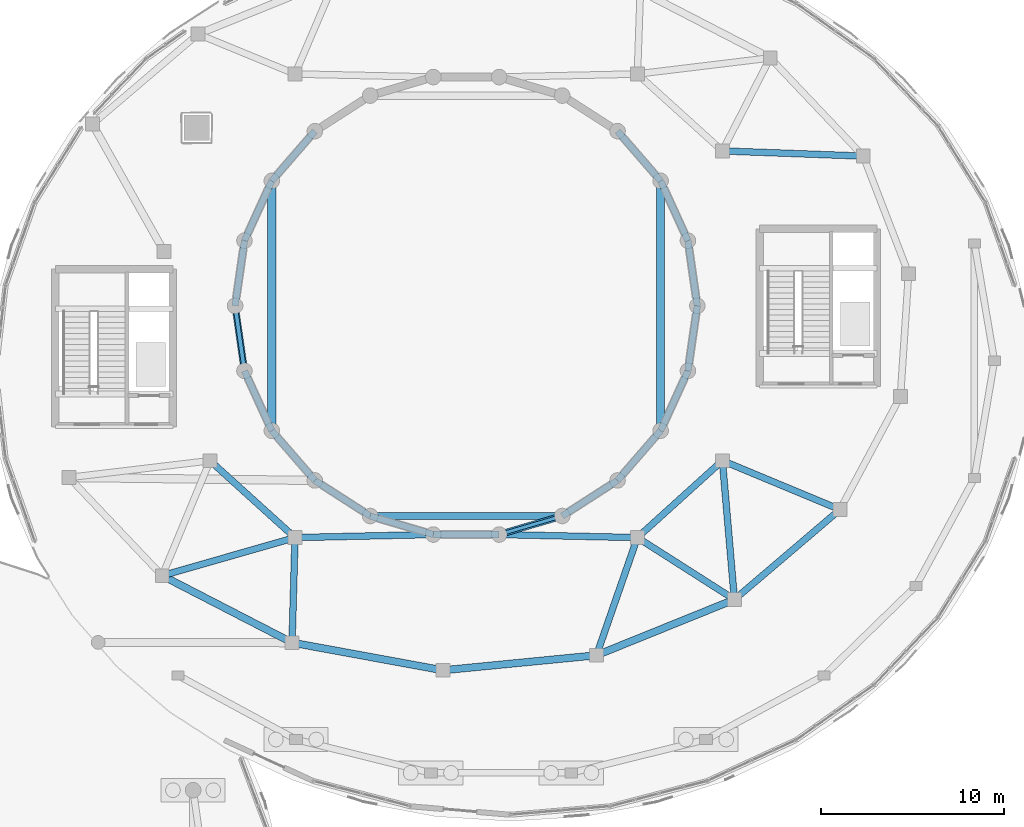
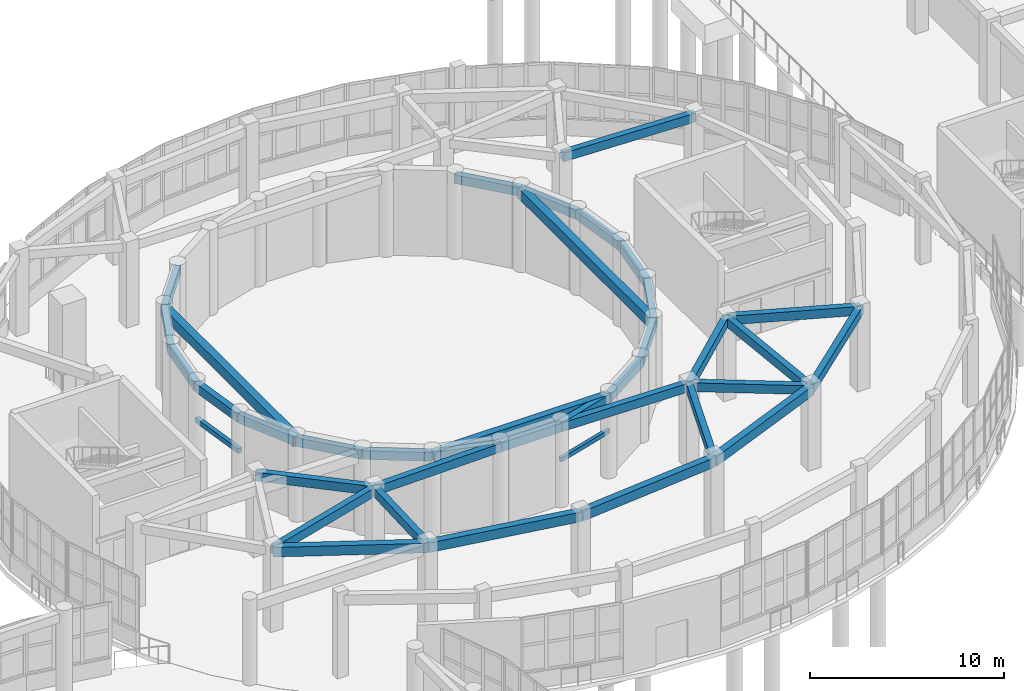
# One storey, part 43 of 96: 38 beams.
"""IFC4 building model written with IfcOpenShell, lengths in metres."""

import ifcopenshell
import ifcopenshell.guid

model = None  # the IFC model being written
_history = None  # IfcOwnerHistory: only IFC2X3 demands one
_inside = {}  # id of a spatial element -> (the spatial element, [elements in it])
_under = {}  # id of a project, library or spatial element -> (it, [spatial elements below it])
_declared = {}  # id of a project -> (the project, [libraries it declares])
_typed = {}  # id of a type object -> (the type object, [elements of that type])
_made_of = {}  # id of a material, layer set ... -> (it, [elements and type objects made of it])


def new_model(schema):
    """Start an empty IFC model of exactly this schema.

    Asked for "IFC4X3", IfcOpenShell would pick the latest addendum, in which some entities
    have other attributes; the version numbers below select the first issue.
    IFC2X3 requires an IfcOwnerHistory on every rooted entity: one is made here for all.
    """
    global model, _history
    if schema == "IFC4X3":
        model = ifcopenshell.file(schema_version=(4, 3, 0, 0))
    else:
        model = ifcopenshell.file(schema=schema)
    _inside.clear()
    _under.clear()
    _declared.clear()
    _typed.clear()
    _made_of.clear()
    _history = None
    if model.schema == "IFC2X3":
        org = make("IfcOrganization", Name="unknown")
        user = make(
            "IfcPersonAndOrganization",
            ThePerson=make("IfcPerson", FamilyName="unknown"),
            TheOrganization=org,
        )
        app = make(
            "IfcApplication",
            ApplicationDeveloper=org,
            Version="unknown",
            ApplicationFullName="unknown",
            ApplicationIdentifier="unknown",
        )
        _history = make(
            "IfcOwnerHistory",
            OwningUser=user,
            OwningApplication=app,
            ChangeAction="ADDED",
            CreationDate=0,
        )
    return model


def make(cls, **values):
    """One entity of the class cls with the attributes given. An attribute that is None is left unset."""
    return model.create_entity(
        cls, **{name: value for name, value in values.items() if value is not None}
    )


def rooted(cls, **values):
    """An entity with a GlobalId (a new one), such as an element, a storey or a relation."""
    return make(cls, GlobalId=ifcopenshell.guid.new(), OwnerHistory=_history, **values)


def si_unit(unit_type, name, prefix=None):
    """IfcSIUnit, for example si_unit("LENGTHUNIT", "METRE", prefix="MILLI")."""
    return make("IfcSIUnit", UnitType=unit_type, Prefix=prefix, Name=name)


def assignment(units):
    """IfcUnitAssignment: the units of a project."""
    return None if units is None else make("IfcUnitAssignment", Units=units)


def point(xyz):
    """IfcCartesianPoint."""
    return None if xyz is None else make("IfcCartesianPoint", Coordinates=xyz)


def direction(xyz):
    """IfcDirection."""
    return None if xyz is None else make("IfcDirection", DirectionRatios=xyz)


def frame(location, z_axis=None, x_axis=None):
    """IfcAxis2Placement3D, a coordinate frame: its origin and axes. An axis left out is left unset."""
    return make(
        "IfcAxis2Placement3D",
        Location=point(location),
        Axis=direction(z_axis),
        RefDirection=direction(x_axis),
    )


def frame_2d(location, x_axis=None):
    """IfcAxis2Placement2D, a coordinate frame in the plane: its origin and x axis."""
    return make(
        "IfcAxis2Placement2D", Location=point(location), RefDirection=direction(x_axis)
    )


def origin():
    """The frame at (0, 0, 0) with its axes left unset."""
    return frame((0.0, 0.0, 0.0))


def origin_2d():
    """The frame at (0, 0) in the plane with its x axis left unset."""
    return frame_2d((0.0, 0.0))


def place(relative_to, where):
    """IfcLocalPlacement: puts the frame where relative to a parent placement (None: the world)."""
    return make(
        "IfcLocalPlacement", PlacementRelTo=relative_to, RelativePlacement=where
    )


def context(
    kind, dimensions, precision=None, world=None, true_north=None, identifier=None
):
    """IfcGeometricRepresentationContext, for example the 3D "Model" context."""
    return make(
        "IfcGeometricRepresentationContext",
        ContextIdentifier=identifier,
        ContextType=kind,
        CoordinateSpaceDimension=dimensions,
        Precision=precision,
        WorldCoordinateSystem=world,
        TrueNorth=true_north,
    )


def subcontext(parent, identifier, kind, view, scale=None):
    """IfcGeometricRepresentationSubContext, for example "Body" below "Model"."""
    return make(
        "IfcGeometricRepresentationSubContext",
        ContextIdentifier=identifier,
        ContextType=kind,
        ParentContext=parent,
        TargetScale=scale,
        TargetView=view,
    )


def project(units=None, contexts=None):
    """IfcProject with its units and contexts."""
    return rooted(
        "IfcProject",
        Name="project",
        RepresentationContexts=contexts,
        UnitsInContext=assignment(units),
    )


def spatial(cls, under=None, at=None, **own):
    """A site, building, storey or space (cls), placed at a placement, below another one or the project."""
    s = rooted(cls, ObjectPlacement=at, **own)
    if under is not None:
        _under.setdefault(under.id(), (under, []))[1].append(s)
    return s


def profile(cls, at=None, kind="AREA", **sizes):
    """A parametric profile (cls). Its sizes go by their IFC names, for example OverallWidth=200.0."""
    return make(cls, ProfileType=kind, Position=at, **sizes)


def rectangle(**sizes):
    """IfcRectangleProfileDef."""
    return profile("IfcRectangleProfileDef", **sizes)


def extrude(swept, where, along, depth):
    """IfcExtrudedAreaSolid: the profile swept, set in the frame where, extruded along a direction by depth."""
    return make(
        "IfcExtrudedAreaSolid",
        SweptArea=swept,
        Position=where,
        ExtrudedDirection=direction(along),
        Depth=depth,
    )


def shape(context_of_items, identifier, shape_type, items):
    """IfcShapeRepresentation: the items that make up one representation, for example the "Body"."""
    return make(
        "IfcShapeRepresentation",
        ContextOfItems=context_of_items,
        RepresentationIdentifier=identifier,
        RepresentationType=shape_type,
        Items=items,
    )


def material(Name=None, Category=None):
    """IfcMaterial."""
    return make("IfcMaterial", Name=Name, Category=Category)


def material_profile(
    of_material, cross_section, Name=None, Category=None, Priority=None
):
    """IfcMaterialProfile: a cross section and its material."""
    return make(
        "IfcMaterialProfile",
        Name=Name,
        Material=of_material,
        Profile=cross_section,
        Priority=Priority,
        Category=Category,
    )


def profile_set(profiles, Name=None, composite=None):
    """IfcMaterialProfileSet."""
    return make(
        "IfcMaterialProfileSet",
        Name=Name,
        MaterialProfiles=profiles,
        CompositeProfile=composite,
    )


def made_of(thing, what):
    """Note that an element or type object is made of a material, layer set ...; save() writes the relation."""
    if what is not None:
        _made_of.setdefault(what.id(), (what, []))[1].append(thing)
    return thing


def type_object(cls, material=None, **own):
    """A type object (cls), such as IfcWallType, which elements share."""
    return made_of(rooted(cls, **own), material)


def element(
    cls,
    number,
    at=None,
    inside=None,
    cuts=None,
    type_object=None,
    material=None,
    context=None,
    identifier="Body",
    shape_type=None,
    held_by="IfcProductDefinitionShape",
    body=None,
    shapes=None,
    **own,
):
    """One element of the class cls, such as IfcWall. Its Tag is "e" and its number.

    at: its placement. inside: the storey or other place that contains it. cuts: it is an
    opening in that element (IfcRelVoidsElement). A single representation is given by context,
    identifier, shape_type and body (its items); several are given by shapes. held_by: the class
    of the entity that holds the representations. save() writes the other relations.
    """
    e = rooted(cls, Tag="e%d" % number, ObjectPlacement=at, **own)
    if body is not None:
        shapes = [shape(context, identifier, shape_type, body)]
    if shapes is not None:
        e.Representation = make(held_by, Representations=shapes)
    if inside is not None:
        _inside.setdefault(inside.id(), (inside, []))[1].append(e)
    if cuts is not None:
        rooted(
            "IfcRelVoidsElement", RelatingBuildingElement=cuts, RelatedOpeningElement=e
        )
    if type_object is not None:
        _typed.setdefault(type_object.id(), (type_object, []))[1].append(e)
    return made_of(e, material)


def aggregate(whole, parts):
    """IfcRelAggregates: a whole, such as a stair, and the parts it consists of."""
    return rooted("IfcRelAggregates", RelatingObject=whole, RelatedObjects=parts)


def save(model, path):
    """Write the relations noted so far, then the file.

    IfcRelAggregates (storeys below a building ...), IfcRelContainedInSpatialStructure (elements
    in a storey), IfcRelDefinesByType, IfcRelAssociatesMaterial and IfcRelDeclares: one each for
    every whole, place, type object, material and project.
    """
    for whole, parts in _under.values():
        aggregate(whole, parts)
    for where, things in _inside.values():
        rooted(
            "IfcRelContainedInSpatialStructure",
            RelatedElements=things,
            RelatingStructure=where,
        )
    for kind, things in _typed.values():
        rooted("IfcRelDefinesByType", RelatedObjects=things, RelatingType=kind)
    for what, things in _made_of.values():
        rooted("IfcRelAssociatesMaterial", RelatedObjects=things, RelatingMaterial=what)
    for by, libraries in _declared.values():
        rooted("IfcRelDeclares", RelatingContext=by, RelatedDefinitions=libraries)
    model.write(path)


model = new_model("IFC4")

# Units and contexts
model_context = context("Model", 3, precision=1e-05, world=origin(), true_north=direction((0.0, 1.0)))
body_context = subcontext(model_context, "Body", "Model", "MODEL_VIEW")
ifc_project = project(units=[si_unit("LENGTHUNIT", "METRE"), si_unit("AREAUNIT", "SQUARE_METRE"), si_unit("VOLUMEUNIT", "CUBIC_METRE"), si_unit("PLANEANGLEUNIT", "RADIAN"), si_unit("MASSUNIT", "GRAM", prefix="KILO")], contexts=[model_context])

# Site, building, storey
site_placement = place(None, origin())
site = spatial("IfcSite", under=ifc_project, at=site_placement, CompositionType="ELEMENT")
building_placement = place(site_placement, origin())
building = spatial("IfcBuilding", under=site, at=building_placement, Name="Pelvatis Terrace Science Centre", CompositionType="ELEMENT")
storey_placement = place(building_placement, origin())
storey = spatial("IfcBuildingStorey", under=building, at=storey_placement, Name="L00", CompositionType="ELEMENT", Elevation=0.0)

# Beams
ifc_material_1 = material(Name="Concrete C35/45", Category="concrete")
ifc_material_profile_1 = material_profile(ifc_material_1, rectangle(XDim=0.360107421875, YDim=0.550048828125, at=origin_2d()), Name="RC-BM 360x550")
ifc_profile_set_1 = profile_set([ifc_material_profile_1], Name="Concrete C35/45")
beam_type_1 = type_object("IfcBeamType", Name="BM-RC-360x550", PredefinedType="BEAM", material=ifc_profile_set_1)
for number, where, z_axis, x_axis, name in (
    (1, (121.800048828125, 85.800048828125, 4.864990234375), (-0.142345759139, 0.989816995639, 0.0), (-0.989816995639, -0.142345759139, 0.0), "Beam BM-L00-2171"),
    (2, (121.800048828125, 85.800048828125, 4.864990234375), (-0.142345759139, -0.989816995639, 0.0), (0.989816995639, -0.142345759139, 0.0), "Beam BM-L00-2172"),
):
    element("IfcBeam", number, at=place(storey_placement, frame(where, z_axis=z_axis, x_axis=x_axis)), inside=storey, type_object=beam_type_1, Name=name, PredefinedType="BEAM", context=body_context, shape_type="SweptSolid", body=[
        extrude(rectangle(XDim=0.360107421875, YDim=0.550048828125, at=origin_2d()), origin(), (0.0, 0.0, 1.0), 3.58642578125),
    ])
beam_1_placement = place(storey_placement, frame((121.28955078125, 89.349853515625, 4.864990234375), z_axis=(-0.41540256811, 0.909637678643, 0.0), x_axis=(-0.909637678643, -0.41540256811, 0.0)))
element("IfcBeam", 3, at=beam_1_placement, inside=storey, type_object=beam_type_1, Name="Beam BM-L00-2173", PredefinedType="BEAM", context=body_context, shape_type="SweptSolid", body=[
    extrude(rectangle(XDim=0.360107421875, YDim=0.550048828125, at=origin_2d()), origin(), (0.0, 0.0, 1.0), 3.586181640625),
])
for number, where, z_axis, x_axis, name in (
    (4, (119.7998046875, 92.612060546875, 4.864990234375), (-0.654863153819, 0.755747477515, 0.0), (-0.755747477515, -0.654863153819, 0.0), "Beam BM-L00-2174"),
    (5, (100.94873046875, 95.322509765625, 4.864990234375), (-0.654863153819, -0.755747477515, 0.0), (0.755747477515, -0.654863153819, 0.0), "Beam BM-L00-2184"),
):
    element("IfcBeam", number, at=place(storey_placement, frame(where, z_axis=z_axis, x_axis=x_axis)), inside=storey, type_object=beam_type_1, Name=name, PredefinedType="BEAM", context=body_context, shape_type="SweptSolid", body=[
        extrude(rectangle(XDim=0.360107421875, YDim=0.550048828125, at=origin_2d()), origin(), (0.0, 0.0, 1.0), 3.58642578125),
    ])
for number, where, z_axis, x_axis, name in (
    (6, (98.60009765625, 92.612060546875, 4.864990234375), (-0.41540256811, -0.909637678643, 0.0), (0.909637678643, -0.41540256811, 0.0), "Beam BM-L00-2185"),
    (7, (97.1103515625, 89.349853515625, 4.864990234375), (-0.142279062089, -0.98982658506, 0.0), (0.98982658506, -0.142279062089, 0.0), "Beam BM-L00-2187"),
    (8, (96.60009765625, 85.800048828125, 4.864990234375), (0.142279062089, -0.98982658506, 0.0), (0.98982658506, 0.142279062089, 0.0), "Beam BM-L00-2188"),
):
    element("IfcBeam", number, at=place(storey_placement, frame(where, z_axis=z_axis, x_axis=x_axis)), inside=storey, type_object=beam_type_1, Name=name, PredefinedType="BEAM", context=body_context, shape_type="SweptSolid", body=[
        extrude(rectangle(XDim=0.360107421875, YDim=0.550048828125, at=origin_2d()), origin(), (0.0, 0.0, 1.0), 3.586181640625),
    ])
beam_2_placement = place(storey_placement, frame((97.1103515625, 82.250244140625, 4.864990234375), z_axis=(0.415376845768, -0.909649424778, 0.0), x_axis=(0.909649424778, 0.415376845768, 0.0)))
element("IfcBeam", 9, at=beam_2_placement, inside=storey, type_object=beam_type_1, Name="Beam BM-L00-2189", PredefinedType="BEAM", context=body_context, shape_type="SweptSolid", body=[
    extrude(rectangle(XDim=0.360107421875, YDim=0.550048828125, at=origin_2d()), origin(), (0.0, 0.0, 1.0), 3.58642578125),
])
beam_3_placement = place(storey_placement, frame((98.60009765625, 78.98779296875, 4.864990234375), z_axis=(0.654896845036, -0.755718282406, 0.0), x_axis=(0.755718282406, 0.654896845036, 0.0)))
element("IfcBeam", 10, at=beam_3_placement, inside=storey, type_object=beam_type_1, Name="Beam BM-L00-2190", PredefinedType="BEAM", context=body_context, shape_type="SweptSolid", body=[
    extrude(rectangle(XDim=0.360107421875, YDim=0.550048828125, at=origin_2d()), origin(), (0.0, 0.0, 1.0), 3.586181640625),
])
beam_4_placement = place(storey_placement, frame((100.94873046875, 76.277587890625, 4.864990234375), z_axis=(0.841253667692, -0.540640607607, 0.0), x_axis=(0.540640607607, 0.841253667692, 0.0)))
element("IfcBeam", 11, at=beam_4_placement, inside=storey, type_object=beam_type_1, Name="Beam BM-L00-2191", PredefinedType="BEAM", context=body_context, shape_type="SweptSolid", body=[
    extrude(rectangle(XDim=0.360107421875, YDim=0.550048828125, at=origin_2d()), origin(), (0.0, 0.0, 1.0), 3.58642578125),
])
beam_5_placement = place(storey_placement, frame((103.9658203125, 74.338623046875, 4.864990234375), z_axis=(0.959481412085, -0.281771928808, 0.0), x_axis=(0.281771928808, 0.959481412085, 0.0)))
element("IfcBeam", 12, at=beam_5_placement, inside=storey, type_object=beam_type_1, Name="Beam BM-L00-2193", PredefinedType="BEAM", context=body_context, shape_type="SweptSolid", body=[
    extrude(rectangle(XDim=0.360107421875, YDim=0.550048828125, at=origin_2d()), origin(), (0.0, 0.0, 1.0), 3.586181640625),
])
beam_6_placement = place(storey_placement, frame((107.40673828125, 73.328125, 4.864990234375), z_axis=(1.0, 0.0, 0.0), x_axis=(0.0, 1.0, 0.0)))
element("IfcBeam", 13, at=beam_6_placement, inside=storey, type_object=beam_type_1, Name="Beam BM-L00-2195", PredefinedType="BEAM", context=body_context, shape_type="SweptSolid", body=[
    extrude(rectangle(XDim=0.360107421875, YDim=0.550048828125, at=origin_2d()), origin(), (0.0, 0.0, 1.0), 3.58642578125),
])
beam_7_placement = place(storey_placement, frame((107.40673828125, 73.328125, 4.864990234375), z_axis=(-0.999756283601, -0.022076535063, 0.0), x_axis=(0.022076535063, -0.999756283601, 0.0)))
element("IfcBeam", 14, at=beam_7_placement, inside=storey, type_object=beam_type_1, Name="Beam BM-L00-2196", PredefinedType="BEAM", context=body_context, shape_type="SweptSolid", body=[
    extrude(rectangle(XDim=0.360107421875, YDim=0.550048828125, at=origin_2d()), origin(), (0.0, 0.0, 1.0), 7.542236328125),
])
beam_8_placement = place(storey_placement, frame((110.9931640625, 73.328125, 4.864990234375), z_axis=(0.959481412085, 0.281771928808, 0.0), x_axis=(-0.281771928808, 0.959481412085, 0.0)))
element("IfcBeam", 15, at=beam_8_placement, inside=storey, type_object=beam_type_1, Name="Beam BM-L00-2197", PredefinedType="BEAM", context=body_context, shape_type="SweptSolid", body=[
    extrude(rectangle(XDim=0.360107421875, YDim=0.550048828125, at=origin_2d()), origin(), (0.0, 0.0, 1.0), 3.586181640625),
])
beam_9_placement = place(storey_placement, frame((110.9931640625, 73.328125, 4.864990234375), z_axis=(0.999756299377, -0.022075820636, 0.0), x_axis=(0.022075820636, 0.999756299377, 0.0)))
element("IfcBeam", 16, at=beam_9_placement, inside=storey, type_object=beam_type_1, Name="Beam BM-L00-2198", PredefinedType="BEAM", context=body_context, shape_type="SweptSolid", body=[
    extrude(rectangle(XDim=0.360107421875, YDim=0.550048828125, at=origin_2d()), origin(), (0.0, 0.0, 1.0), 7.54248046875),
])
beam_10_placement = place(storey_placement, frame((114.43408203125, 74.338623046875, 4.864990234375), z_axis=(0.841253667692, 0.540640607607, 0.0), x_axis=(-0.540640607607, 0.841253667692, 0.0)))
element("IfcBeam", 17, at=beam_10_placement, inside=storey, type_object=beam_type_1, Name="Beam BM-L00-2199", PredefinedType="BEAM", context=body_context, shape_type="SweptSolid", body=[
    extrude(rectangle(XDim=0.360107421875, YDim=0.550048828125, at=origin_2d()), origin(), (0.0, 0.0, 1.0), 3.58642578125),
])
beam_11_placement = place(storey_placement, frame((117.451171875, 76.277587890625, 4.864990234375), z_axis=(0.654896845036, 0.755718282406, 0.0), x_axis=(-0.755718282406, 0.654896845036, 0.0)))
element("IfcBeam", 18, at=beam_11_placement, inside=storey, type_object=beam_type_1, Name="Beam BM-L00-2200", PredefinedType="BEAM", context=body_context, shape_type="SweptSolid", body=[
    extrude(rectangle(XDim=0.360107421875, YDim=0.550048828125, at=origin_2d()), origin(), (0.0, 0.0, 1.0), 3.586181640625),
])
beam_12_placement = place(storey_placement, frame((119.7998046875, 78.98779296875, 4.864990234375), z_axis=(0.415376845768, 0.909649424778, 0.0), x_axis=(-0.909649424778, 0.415376845768, 0.0)))
element("IfcBeam", 19, at=beam_12_placement, inside=storey, type_object=beam_type_1, Name="Beam BM-L00-2201", PredefinedType="BEAM", context=body_context, shape_type="SweptSolid", body=[
    extrude(rectangle(XDim=0.360107421875, YDim=0.550048828125, at=origin_2d()), origin(), (0.0, 0.0, 1.0), 3.58642578125),
])
beam_13_placement = place(storey_placement, frame((130.8515625, 93.9619140625, 4.864990234375), z_axis=(-0.999323636049, 0.036773229863, 0.0), x_axis=(-0.036773229863, -0.999323636049, 0.0)))
element("IfcBeam", 20, at=beam_13_placement, inside=storey, type_object=beam_type_1, Name="Beam BM-L00-2261", PredefinedType="BEAM", context=body_context, shape_type="SweptSolid", body=[
    extrude(rectangle(XDim=0.360107421875, YDim=0.550048828125, at=origin_2d()), origin(), (0.0, 0.0, 1.0), 7.68798828125),
])
beam_14_placement = place(storey_placement, frame((92.62744140625, 71.0849609375, 4.864990234375), z_axis=(0.961229800433, 0.275748564382, 0.0), x_axis=(-0.275748564382, 0.961229800433, 0.0)))
element("IfcBeam", 21, at=beam_14_placement, inside=storey, type_object=beam_type_1, Name="Beam BM-L00-2277", PredefinedType="BEAM", context=body_context, shape_type="SweptSolid", body=[
    extrude(rectangle(XDim=0.360107421875, YDim=0.550048828125, at=origin_2d()), origin(), (0.0, 0.0, 1.0), 7.531005859375),
])
beam_15_placement = place(storey_placement, frame((99.705078125, 67.434326171875, 4.864990234375), z_axis=(0.028165640532, 0.999603269649, 0.0), x_axis=(-0.999603269649, 0.028165640532, 0.0)))
element("IfcBeam", 22, at=beam_15_placement, inside=storey, type_object=beam_type_1, Name="Beam BM-L00-2279", PredefinedType="BEAM", context=body_context, shape_type="SweptSolid", body=[
    extrude(rectangle(XDim=0.360107421875, YDim=0.550048828125, at=origin_2d()), origin(), (0.0, 0.0, 1.0), 5.7294921875),
])
beam_16_placement = place(storey_placement, frame((116.3046875, 66.743408203125, 4.864990234375), z_axis=(0.328071814406, 0.944652785203, 0.0), x_axis=(-0.944652785203, 0.328071814406, 0.0)))
element("IfcBeam", 23, at=beam_16_placement, inside=storey, type_object=beam_type_1, Name="Beam BM-L00-2282", PredefinedType="BEAM", context=body_context, shape_type="SweptSolid", body=[
    extrude(rectangle(XDim=0.360107421875, YDim=0.550048828125, at=origin_2d()), origin(), (0.0, 0.0, 1.0), 6.794189453125),
])
beam_17_placement = place(storey_placement, frame((123.82421875, 69.786376953125, 4.864990234375), z_axis=(0.761283967921, 0.648418630351, 0.0), x_axis=(-0.648418630351, 0.761283967921, 0.0)))
element("IfcBeam", 24, at=beam_17_placement, inside=storey, type_object=beam_type_1, Name="Beam BM-L00-2283", PredefinedType="BEAM", context=body_context, shape_type="SweptSolid", body=[
    extrude(rectangle(XDim=0.360107421875, YDim=0.550048828125, at=origin_2d()), origin(), (0.0, 0.0, 1.0), 7.56005859375),
])
beam_18_placement = place(storey_placement, frame((123.82421875, 69.786376953125, 4.864990234375), z_axis=(-0.843044192258, 0.537844298937, 0.0), x_axis=(-0.537844298937, -0.843044192258, 0.0)))
element("IfcBeam", 25, at=beam_18_placement, inside=storey, type_object=beam_type_1, Name="Beam BM-L00-2284", PredefinedType="BEAM", context=body_context, shape_type="SweptSolid", body=[
    extrude(rectangle(XDim=0.360107421875, YDim=0.550048828125, at=origin_2d()), origin(), (0.0, 0.0, 1.0), 6.275390625),
])
beam_19_placement = place(storey_placement, frame((123.82421875, 69.786376953125, 4.864990234375), z_axis=(-0.086284318335, 0.99627055382, 0.0), x_axis=(-0.99627055382, -0.086284318335, 0.0)))
element("IfcBeam", 26, at=beam_19_placement, inside=storey, type_object=beam_type_1, Name="Beam BM-L00-2285", PredefinedType="BEAM", context=body_context, shape_type="SweptSolid", body=[
    extrude(rectangle(XDim=0.360107421875, YDim=0.550048828125, at=origin_2d()), origin(), (0.0, 0.0, 1.0), 7.59716796875),
])
beam_20_placement = place(storey_placement, frame((129.57958984375, 74.6884765625, 4.864990234375), z_axis=(-0.923304582387, 0.384068546152, 0.0), x_axis=(-0.384068546152, -0.923304582387, 0.0)))
element("IfcBeam", 27, at=beam_20_placement, inside=storey, type_object=beam_type_1, Name="Beam BM-L00-2287", PredefinedType="BEAM", context=body_context, shape_type="SweptSolid", body=[
    extrude(rectangle(XDim=0.360107421875, YDim=0.550048828125, at=origin_2d()), origin(), (0.0, 0.0, 1.0), 6.943359375),
])
beam_21_placement = place(storey_placement, frame((95.231201171875, 77.355224609375, 4.864990234375), z_axis=(0.741551509184, -0.670895937704, 0.0), x_axis=(0.670895937704, 0.741551509184, 0.0)))
element("IfcBeam", 28, at=beam_21_placement, inside=storey, type_object=beam_type_1, Name="Beam BM-L00-2289", PredefinedType="BEAM", context=body_context, shape_type="SweptSolid", body=[
    extrude(rectangle(XDim=0.360107421875, YDim=0.550048828125, at=origin_2d()), origin(), (0.0, 0.0, 1.0), 6.250732421875),
])
beam_22_placement = place(storey_placement, frame((118.53369140625, 73.16162109375, 4.864990234375), z_axis=(0.741533928448, 0.670915369447, 0.0), x_axis=(-0.670915369447, 0.741533928448, 0.0)))
element("IfcBeam", 29, at=beam_22_placement, inside=storey, type_object=beam_type_1, Name="Beam BM-L00-2290", PredefinedType="BEAM", context=body_context, shape_type="SweptSolid", body=[
    extrude(rectangle(XDim=0.360107421875, YDim=0.550048828125, at=origin_2d()), origin(), (0.0, 0.0, 1.0), 6.25048828125),
])
ifc_material_2 = material(Name="Concrete C35/45", Category="concrete")
ifc_material_profile_2 = material_profile(ifc_material_2, rectangle(XDim=0.39990234375, YDim=0.60009765625, at=origin_2d()), Name="RC-BM 400x600")
ifc_profile_set_2 = profile_set([ifc_material_profile_2], Name="Concrete C35/45")
beam_type_2 = type_object("IfcBeamType", Name="BM-RC-400x600", PredefinedType="BEAM", material=ifc_profile_set_2)
beam_23_placement = place(storey_placement, frame((103.9658203125, 74.338623046875, 4.840087890625), z_axis=(1.0, 0.0, 0.0), x_axis=(0.0, 1.0, 0.0)))
element("IfcBeam", 30, at=beam_23_placement, inside=storey, type_object=beam_type_2, Name="Beam BM-L00-2194", PredefinedType="BEAM", context=body_context, shape_type="SweptSolid", body=[
    extrude(rectangle(XDim=0.39990234375, YDim=0.60009765625, at=origin_2d()), origin(), (0.0, 0.0, 1.0), 10.46826171875),
])
beam_24_placement = place(storey_placement, frame((92.62744140625, 71.0849609375, 4.840087890625), z_axis=(0.888740331854, -0.458410975585, 0.0), x_axis=(0.458410975585, 0.888740331854, 0.0)))
element("IfcBeam", 31, at=beam_24_placement, inside=storey, type_object=beam_type_2, Name="Beam BM-L00-2275", PredefinedType="BEAM", context=body_context, shape_type="SweptSolid", body=[
    extrude(rectangle(XDim=0.39990234375, YDim=0.60009765625, at=origin_2d()), origin(), (0.0, 0.0, 1.0), 7.963623046875),
])
beam_25_placement = place(storey_placement, frame((99.705078125, 67.434326171875, 4.840087890625), z_axis=(0.983601549943, -0.180355179991, 0.0), x_axis=(0.180355179991, 0.983601549943, 0.0)))
element("IfcBeam", 32, at=beam_25_placement, inside=storey, type_object=beam_type_2, Name="Beam BM-L00-2278", PredefinedType="BEAM", context=body_context, shape_type="SweptSolid", body=[
    extrude(rectangle(XDim=0.39990234375, YDim=0.60009765625, at=origin_2d()), origin(), (0.0, 0.0, 1.0), 8.3603515625),
])
beam_26_placement = place(storey_placement, frame((107.92822265625, 65.926513671875, 4.840087890625), z_axis=(0.995278325495, 0.097062118249, 0.0), x_axis=(-0.097062118249, 0.995278325495, 0.0)))
element("IfcBeam", 33, at=beam_26_placement, inside=storey, type_object=beam_type_2, Name="Beam BM-L00-2280", PredefinedType="BEAM", context=body_context, shape_type="SweptSolid", body=[
    extrude(rectangle(XDim=0.39990234375, YDim=0.60009765625, at=origin_2d()), origin(), (0.0, 0.0, 1.0), 8.416259765625),
])
beam_27_placement = place(storey_placement, frame((116.3046875, 66.743408203125, 4.840087890625), z_axis=(0.926974722929, 0.375123796967, 0.0), x_axis=(-0.375123796967, 0.926974722929, 0.0)))
element("IfcBeam", 34, at=beam_27_placement, inside=storey, type_object=beam_type_2, Name="Beam BM-L00-2281", PredefinedType="BEAM", context=body_context, shape_type="SweptSolid", body=[
    extrude(rectangle(XDim=0.39990234375, YDim=0.60009765625, at=origin_2d()), origin(), (0.0, 0.0, 1.0), 8.11181640625),
])
ifc_material_3 = material(Name="Concrete C35/45", Category="concrete")
ifc_material_profile_3 = material_profile(ifc_material_3, rectangle(XDim=0.449951171875, YDim=0.64990234375, at=origin_2d()), Name="RC-BM 450x650")
ifc_profile_set_3 = profile_set([ifc_material_profile_3], Name="Concrete C35/45")
beam_type_3 = type_object("IfcBeamType", Name="BM-RC-450x650", PredefinedType="BEAM", material=ifc_profile_set_3)
for number, where, z_axis, x_axis, name in (
    (35, (119.7998046875, 92.612060546875, 4.81494140625), (0.0, -1.0, 0.0), (1.0, 0.0, 0.0), "Beam BM-L00-2175"),
    (36, (98.60009765625, 92.612060546875, 4.81494140625), (0.0, -1.0, 0.0), (1.0, 0.0, 0.0), "Beam BM-L00-2186"),
):
    element("IfcBeam", number, at=place(storey_placement, frame(where, z_axis=z_axis, x_axis=x_axis)), inside=storey, type_object=beam_type_3, Name=name, PredefinedType="BEAM", context=body_context, shape_type="SweptSolid", body=[
        extrude(rectangle(XDim=0.449951171875, YDim=0.64990234375, at=origin_2d()), origin(), (0.0, 0.0, 1.0), 13.624267578125),
    ])
ifc_material_4 = material(Name="Concrete C35/45", Category="concrete")
ifc_material_profile_4 = material_profile(ifc_material_4, rectangle(XDim=0.199951171875, YDim=0.260009765625, at=origin_2d()), Name="RC-LNT 200x260")
ifc_profile_set_4 = profile_set([ifc_material_profile_4], Name="Concrete C35/45")
beam_type_4 = type_object("IfcBeamType", Name="LNT-RC-200x260", PredefinedType="LINTEL", material=ifc_profile_set_4)
beam_28_placement = place(storey_placement, frame((110.9931640625, 73.328125, 2.75), z_axis=(0.959481412085, 0.281771928808, 0.0), x_axis=(-0.281771928808, 0.959481412085, 0.0)))
element("IfcBeam", 37, at=beam_28_placement, inside=storey, type_object=beam_type_4, Name="Planetarium portal structural lintel 18 (L00)", PredefinedType="LINTEL", context=body_context, shape_type="SweptSolid", body=[
    extrude(rectangle(XDim=0.199951171875, YDim=0.260009765625, at=origin_2d()), origin(), (0.0, 0.0, 1.0), 3.586181640625),
])
ifc_material_5 = material(Name="Concrete C35/45", Category="concrete")
ifc_material_profile_5 = material_profile(ifc_material_5, rectangle(XDim=0.239990234375, YDim=0.300048828125, at=origin_2d()), Name="RC-LNT 240x300")
ifc_profile_set_5 = profile_set([ifc_material_profile_5], Name="Concrete C35/45")
beam_type_5 = type_object("IfcBeamType", Name="LNT-RC-240x300", PredefinedType="LINTEL", material=ifc_profile_set_5)
beam_29_placement = place(storey_placement, frame((96.60009765625, 85.800048828125, 2.75), z_axis=(0.142279062089, -0.98982658506, 0.0), x_axis=(0.98982658506, 0.142279062089, 0.0)))
element("IfcBeam", 38, at=beam_29_placement, inside=storey, type_object=beam_type_5, Name="Planetarium portal structural lintel 12 (L00)", PredefinedType="LINTEL", context=body_context, shape_type="SweptSolid", body=[
    extrude(rectangle(XDim=0.239990234375, YDim=0.300048828125, at=origin_2d()), origin(), (0.0, 0.0, 1.0), 3.586181640625),
])

save(model, "model.ifc")
